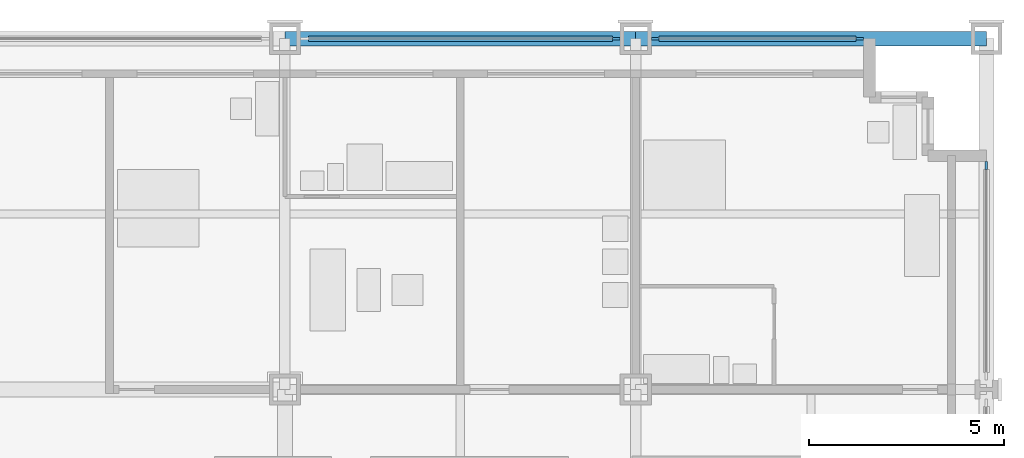
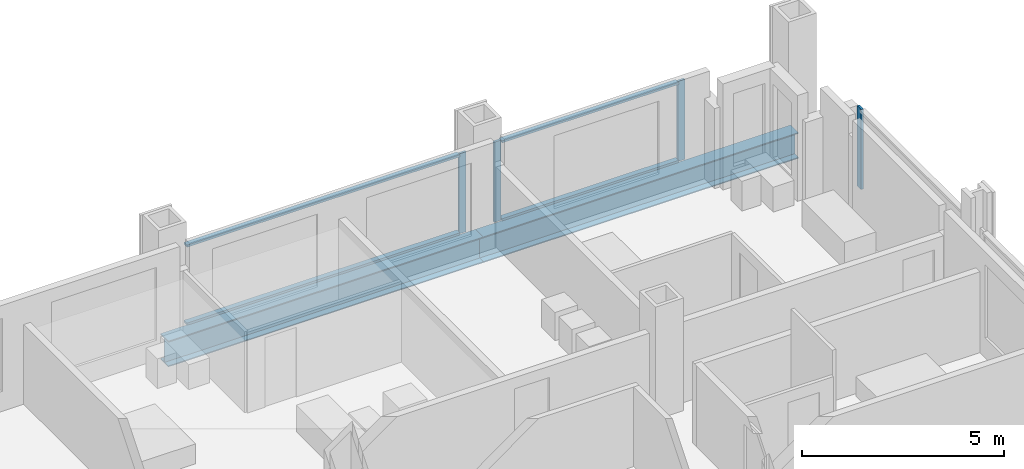
# One storey, part 8 of 18: 8 members, 2 beams, 3 elements without a shape of their own.
"""IFC4 building model written with IfcOpenShell, lengths in metres."""

from ifc_helpers import new_model, si_unit, direction, frame, origin, origin_2d, place, context, subcontext, project, spatial, rectangle, i_section, extrude, material, material_profile, profile_set, type_object, element, aggregate, save


model = new_model("IFC4")

# Units and contexts
model_context = context("Model", 3, precision=1e-05, world=origin(), true_north=direction((0.0, 1.0)))
body_context = subcontext(model_context, "Body", "Model", "MODEL_VIEW")
ifc_project = project(units=[si_unit("LENGTHUNIT", "METRE"), si_unit("AREAUNIT", "SQUARE_METRE"), si_unit("VOLUMEUNIT", "CUBIC_METRE"), si_unit("PLANEANGLEUNIT", "RADIAN"), si_unit("MASSUNIT", "GRAM", prefix="KILO")], contexts=[model_context])

# Site, building, storey
site_placement = place(None, origin())
site = spatial("IfcSite", under=ifc_project, at=site_placement, CompositionType="ELEMENT")
building_placement = place(site_placement, origin())
building = spatial("IfcBuilding", under=site, at=building_placement, Name="Loomwork Tower", CompositionType="ELEMENT")
storey_placement = place(building_placement, frame((0.0, 0.0, 51.800048828125)))
storey = spatial("IfcBuildingStorey", under=building, at=storey_placement, Name="L12", CompositionType="ELEMENT", Elevation=51.800048828125)

# Curtain wall, member
ifc_material_1 = material(Name="Aluminium curtain wall frame", Category="aluminium")
curtain_wall_type = type_object("IfcCurtainWallType", Name="Outer skin glazing hotel", PredefinedType="NOTDEFINED", material=ifc_material_1)
curtain_wall_1_placement = place(storey_placement, origin())
curtain_wall_1 = element("IfcCurtainWall", 1, at=curtain_wall_1_placement, inside=storey, type_object=curtain_wall_type, Name="Outer skin glazing hotel cw/N-36", PredefinedType="NOTDEFINED")
ifc_material_2 = material(Name="Aluminium curtain wall frame", Category="aluminium")
ifc_material_profile_1 = material_profile(ifc_material_2, rectangle(XDim=0.06494140625, YDim=0.199951171875, at=origin_2d()), Name="AL 65x200")
ifc_profile_set_1 = profile_set([ifc_material_profile_1], Name="Aluminium curtain wall frame")
member_type_1 = type_object("IfcMemberType", Name="Outer skin glazing hotel mullion", PredefinedType="MULLION", material=ifc_profile_set_1)
member_1_placement = place(storey_placement, frame((44.5, 36.0, 0.0), z_axis=(0.0, 0.0, 1.0), x_axis=(0.0, -1.0, 0.0)))
member_1 = element("IfcMember", 2, at=member_1_placement, type_object=member_type_1, Name="CW1 mullion 1", PredefinedType="MULLION", context=body_context, shape_type="SweptSolid", body=[
    extrude(rectangle(XDim=0.06494140625, YDim=0.199951171875, at=origin_2d()), origin(), (0.0, 0.0, 1.0), 2.420166015625),
])

# Curtain wall, members
curtain_wall_2_placement = place(storey_placement, origin())
curtain_wall_2 = element("IfcCurtainWall", 3, at=curtain_wall_2_placement, inside=storey, type_object=curtain_wall_type, Name="Outer skin glazing hotel cw/N-45", PredefinedType="NOTDEFINED")
member_2_placement = place(storey_placement, frame((50.75, 36.0, 0.0), z_axis=(0.0, 0.0, 1.0), x_axis=(0.0, -1.0, 0.0)))
member_2 = element("IfcMember", 4, at=member_2_placement, type_object=member_type_1, Name="CW1 mullion 1", PredefinedType="MULLION", context=body_context, shape_type="SweptSolid", body=[
    extrude(rectangle(XDim=0.06494140625, YDim=0.199951171875, at=origin_2d()), origin(), (0.0, 0.0, 1.0), 2.420166015625),
])
member_3_placement = place(storey_placement, frame((45.5, 36.0, 0.0), z_axis=(0.0, 0.0, 1.0), x_axis=(0.0, -1.0, 0.0)))
member_3 = element("IfcMember", 5, at=member_3_placement, type_object=member_type_1, Name="CW1 mullion 2", PredefinedType="MULLION", context=body_context, shape_type="SweptSolid", body=[
    extrude(rectangle(XDim=0.06494140625, YDim=0.199951171875, at=origin_2d()), origin(), (0.0, 0.0, 1.0), 2.420166015625),
])

# Curtain wall, member
curtain_wall_3_placement = place(storey_placement, origin())
curtain_wall_3 = element("IfcCurtainWall", 6, at=curtain_wall_3_placement, inside=storey, type_object=curtain_wall_type, Name="Outer skin glazing hotel cw/E-27", PredefinedType="NOTDEFINED")
member_4_placement = place(storey_placement, frame((54.0, 32.75, 0.0), z_axis=(0.0, 0.0, 1.0), x_axis=(-1.0, 0.0, 0.0)))
member_4 = element("IfcMember", 7, at=member_4_placement, type_object=member_type_1, Name="CW1 mullion 2", PredefinedType="MULLION", context=body_context, shape_type="SweptSolid", body=[
    extrude(rectangle(XDim=0.06494140625, YDim=0.199951171875, at=origin_2d()), origin(), (0.0, 0.0, 1.0), 2.420166015625),
])
aggregate(curtain_wall_3, [member_4])

# Member
ifc_material_3 = material(Name="Aluminium curtain wall frame", Category="aluminium")
ifc_material_profile_2 = material_profile(ifc_material_3, rectangle(XDim=0.14990234375, YDim=0.06494140625, at=origin_2d()), Name="AL 65x150")
ifc_profile_set_2 = profile_set([ifc_material_profile_2], Name="Aluminium curtain wall frame")
member_type_2 = type_object("IfcMemberType", Name="Outer skin glazing hotel transom", PredefinedType="USERDEFINED", material=ifc_profile_set_2)
member_5_placement = place(storey_placement, frame((44.39990234375, 36.0, 0.032470703125), z_axis=(-1.0, 0.0, 0.0), x_axis=(0.0, -1.0, 0.0)))
member_5 = element("IfcMember", 8, at=member_5_placement, type_object=member_type_2, Name="CW1 transom 1.1", ObjectType="TRANSOM", PredefinedType="USERDEFINED", context=body_context, shape_type="SweptSolid", body=[
    extrude(rectangle(XDim=0.14990234375, YDim=0.06494140625, at=origin_2d()), origin(), (0.0, 0.0, 1.0), 7.7998046875),
])

member_6_placement = place(storey_placement, frame((44.39990234375, 36.0, 2.3876953125), z_axis=(-1.0, 0.0, 0.0), x_axis=(0.0, -1.0, 0.0)))
member_6 = element("IfcMember", 9, at=member_6_placement, type_object=member_type_2, Name="CW1 transom 1.2", ObjectType="TRANSOM", PredefinedType="USERDEFINED", context=body_context, shape_type="SweptSolid", body=[
    extrude(rectangle(XDim=0.14990234375, YDim=0.06494140625, at=origin_2d()), origin(), (0.0, 0.0, 1.0), 7.7998046875),
])

aggregate(curtain_wall_1, [member_1, member_5, member_6])

member_7_placement = place(storey_placement, frame((50.64990234375, 36.0, 0.032470703125), z_axis=(-1.0, 0.0, 0.0), x_axis=(0.0, -1.0, 0.0)))
member_7 = element("IfcMember", 10, at=member_7_placement, type_object=member_type_2, Name="CW1 transom 1.1", ObjectType="TRANSOM", PredefinedType="USERDEFINED", context=body_context, shape_type="SweptSolid", body=[
    extrude(rectangle(XDim=0.14990234375, YDim=0.06494140625, at=origin_2d()), origin(), (0.0, 0.0, 1.0), 5.0498046875),
])

member_8_placement = place(storey_placement, frame((50.64990234375, 36.0, 2.3876953125), z_axis=(-1.0, 0.0, 0.0), x_axis=(0.0, -1.0, 0.0)))
member_8 = element("IfcMember", 11, at=member_8_placement, type_object=member_type_2, Name="CW1 transom 1.2", ObjectType="TRANSOM", PredefinedType="USERDEFINED", context=body_context, shape_type="SweptSolid", body=[
    extrude(rectangle(XDim=0.14990234375, YDim=0.06494140625, at=origin_2d()), origin(), (0.0, 0.0, 1.0), 5.0498046875),
])

aggregate(curtain_wall_2, [member_2, member_3, member_7, member_8])

# Beams
ifc_material_4 = material(Name="Steel ASTM A992", Category="steel")
ifc_material_profile_3 = material_profile(ifc_material_4, i_section(OverallWidth=0.381103515625, OverallDepth=0.77978515625, WebThickness=0.01806640625, FlangeThickness=0.0302734375, at=origin_2d()), Name="W30x191")
ifc_profile_set_3 = profile_set([ifc_material_profile_3], Name="Steel ASTM A992")
beam_type = type_object("IfcBeamType", Name="SPANDREL GIRDER W30x191", PredefinedType="SPANDREL", material=ifc_profile_set_3)
for number, where, z_axis, x_axis, name in (
    (12, (36.0, 36.0, -0.58984375), (1.0, 0.0, 0.0), (0.0, 1.0, 0.0), "Spandrel Girder H/6-H/7 L12"),
    (13, (45.0, 36.0, -0.58984375), (1.0, 0.0, 0.0), (0.0, 1.0, 0.0), "Spandrel Girder H/7-H/8 L12"),
):
    element("IfcBeam", number, at=place(storey_placement, frame(where, z_axis=z_axis, x_axis=x_axis)), inside=storey, type_object=beam_type, Name=name, PredefinedType="SPANDREL", context=body_context, shape_type="SweptSolid", body=[
        extrude(i_section(OverallWidth=0.381103515625, OverallDepth=0.77978515625, WebThickness=0.01806640625, FlangeThickness=0.0302734375, at=origin_2d()), origin(), (0.0, 0.0, 1.0), 9.0),
    ])

save(model, "model.ifc")
